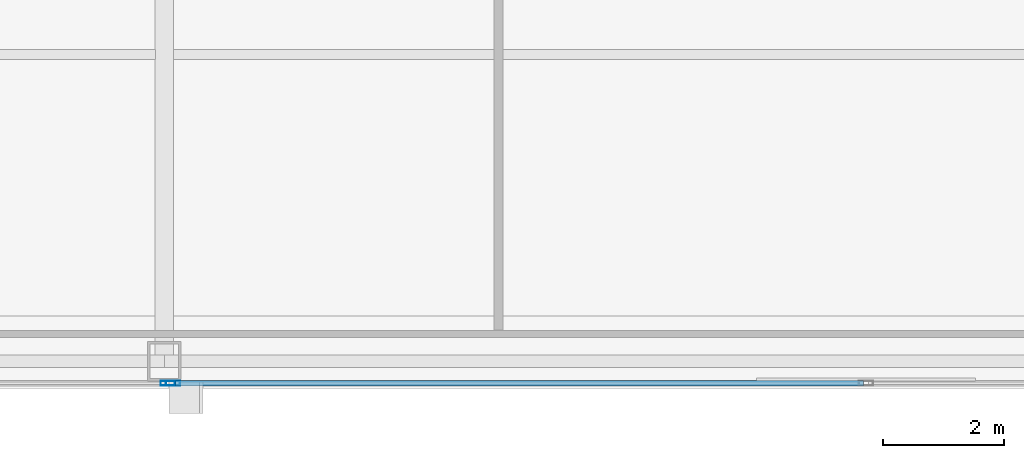
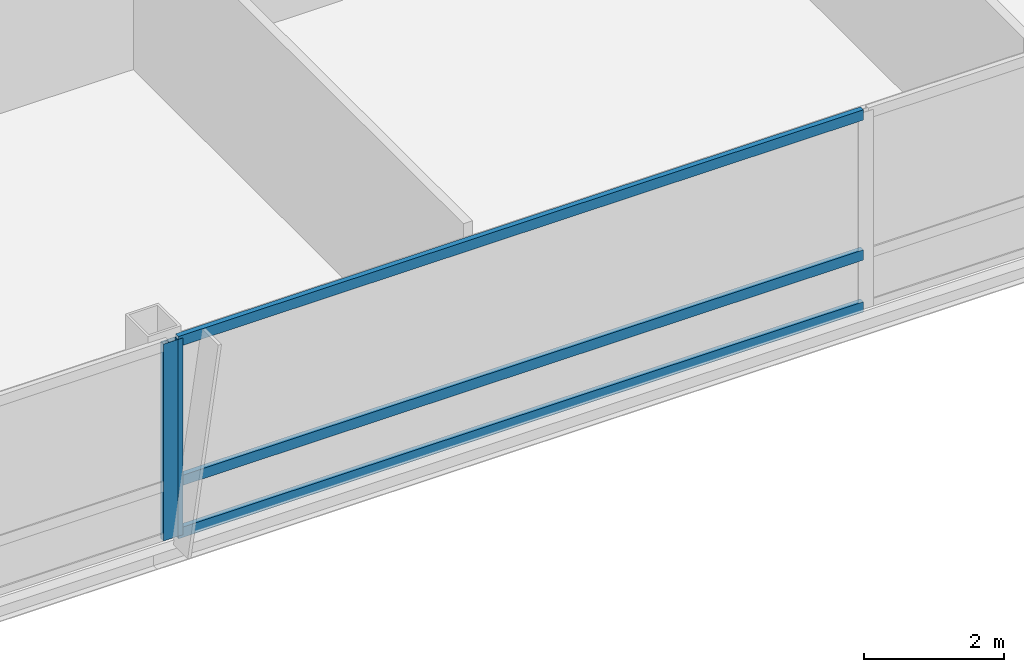
# One storey, part 7 of 29: 5 members, 2 elements without a shape of their own.
"""IFC4 building model written with IfcOpenShell, lengths in metres."""

from ifc_helpers import new_model, si_unit, direction, frame, origin, origin_2d, place, context, subcontext, project, spatial, hollow_rectangle, extrude, material, material_profile, profile_set, type_object, element, aggregate, save


model = new_model("IFC4")

# Units and contexts
model_context = context("Model", 3, precision=1e-05, world=origin(), true_north=direction((0.0, 1.0)))
body_context = subcontext(model_context, "Body", "Model", "MODEL_VIEW")
ifc_project = project(units=[si_unit("LENGTHUNIT", "METRE"), si_unit("AREAUNIT", "SQUARE_METRE"), si_unit("VOLUMEUNIT", "CUBIC_METRE"), si_unit("PLANEANGLEUNIT", "RADIAN"), si_unit("MASSUNIT", "GRAM", prefix="KILO")], contexts=[model_context])

# Site, building, storey
site_placement = place(None, origin())
site = spatial("IfcSite", under=ifc_project, at=site_placement, CompositionType="ELEMENT")
building_placement = place(site_placement, origin())
building = spatial("IfcBuilding", under=site, at=building_placement, Name="Khoronbel Lancet Exchange", CompositionType="ELEMENT")
storey_placement = place(building_placement, frame((0.0, 0.0, 329.0)))
storey = spatial("IfcBuildingStorey", under=building, at=storey_placement, Name="L85", CompositionType="ELEMENT", Elevation=329.0)

# Curtain wall, member
ifc_material_1 = material(Name="Low-E Solar Control Insulating Glass", Category="glass")
curtain_wall_type = type_object("IfcCurtainWallType", Name="CW-3", PredefinedType="NOTDEFINED", material=ifc_material_1)
curtain_wall_1_placement = place(storey_placement, origin())
curtain_wall_1 = element("IfcCurtainWall", 1, at=curtain_wall_1_placement, inside=storey, type_object=curtain_wall_type, Name="Unitised curtain wall CW-L85-SWB", PredefinedType="NOTDEFINED")
ifc_material_2 = material(Name="Bronze-Anodised Aluminium 6063-T6", Category="aluminium")
ifc_material_profile_1 = material_profile(ifc_material_2, hollow_rectangle(XDim=0.0849609375, YDim=0.239990234375, WallThickness=0.006103515625, at=origin_2d()), Name="ALU MULLION 85x240")
ifc_profile_set_1 = profile_set([ifc_material_profile_1], Name="Bronze-Anodised Aluminium 6063-T6")
member_type_1 = type_object("IfcMemberType", Name="MEM-CWM1", PredefinedType="MULLION", material=ifc_profile_set_1)
member_1_placement = place(storey_placement, frame((24.95751953125, 9.7900390625, 0.0), z_axis=(0.0, 0.0, 1.0), x_axis=(0.0, 1.0, 0.0)))
member_1 = element("IfcMember", 2, at=member_1_placement, type_object=member_type_1, Name="CW3 mullion 2", PredefinedType="MULLION", context=body_context, shape_type="SweptSolid", body=[
    extrude(hollow_rectangle(XDim=0.0849609375, YDim=0.239990234375, WallThickness=0.006103515625, at=origin_2d()), origin(), (0.0, 0.0, 1.0), 3.43994140625),
])
aggregate(curtain_wall_1, [member_1])

# Curtain wall, members
curtain_wall_2_placement = place(storey_placement, origin())
curtain_wall_2 = element("IfcCurtainWall", 3, at=curtain_wall_2_placement, inside=storey, type_object=curtain_wall_type, Name="Unitised curtain wall CW-L85-SCV", PredefinedType="NOTDEFINED")
member_2_placement = place(storey_placement, frame((25.04248046875, 9.7900390625, 0.0), z_axis=(0.0, 0.0, 1.0), x_axis=(0.0, 1.0, 0.0)))
member_2 = element("IfcMember", 4, at=member_2_placement, type_object=member_type_1, Name="CW3 mullion 1", PredefinedType="MULLION", context=body_context, shape_type="SweptSolid", body=[
    extrude(hollow_rectangle(XDim=0.0849609375, YDim=0.239990234375, WallThickness=0.006103515625, at=origin_2d()), origin(), (0.0, 0.0, 1.0), 3.43994140625),
])
ifc_material_profile_2 = material_profile(ifc_material_2, hollow_rectangle(XDim=0.0849609375, YDim=0.179931640625, WallThickness=0.0048828125, at=origin_2d()), Name="ALU TRANSOM 85x180")
ifc_profile_set_2 = profile_set([ifc_material_profile_2], Name="Bronze-Anodised Aluminium 6063-T6")
member_type_2 = type_object("IfcMemberType", Name="MEM-CWT1", PredefinedType="USERDEFINED", material=ifc_profile_set_2)
member_3_placement = place(storey_placement, frame((25.0849609375, 9.7900390625, 0.04248046875), z_axis=(1.0, 0.0, 0.0), x_axis=(0.0, 1.0, 0.0)))
member_3 = element("IfcMember", 5, at=member_3_placement, type_object=member_type_2, Name="CW3 transom 1.1", ObjectType="TRANSOM", PredefinedType="USERDEFINED", context=body_context, shape_type="SweptSolid", body=[
    extrude(hollow_rectangle(XDim=0.0849609375, YDim=0.179931640625, WallThickness=0.0048828125, at=origin_2d()), origin(), (0.0, 0.0, 1.0), 11.322509765625),
])
member_4_placement = place(storey_placement, frame((25.0849609375, 9.7900390625, 0.949951171875), z_axis=(1.0, 0.0, 0.0), x_axis=(0.0, 1.0, 0.0)))
member_4 = element("IfcMember", 6, at=member_4_placement, type_object=member_type_2, Name="CW3 transom 1.2", ObjectType="TRANSOM", PredefinedType="USERDEFINED", context=body_context, shape_type="SweptSolid", body=[
    extrude(hollow_rectangle(XDim=0.0849609375, YDim=0.179931640625, WallThickness=0.0048828125, at=origin_2d()), origin(), (0.0, 0.0, 1.0), 11.322509765625),
])
member_5_placement = place(storey_placement, frame((25.0849609375, 9.7900390625, 3.3974609375), z_axis=(1.0, 0.0, 0.0), x_axis=(0.0, 1.0, 0.0)))
member_5 = element("IfcMember", 7, at=member_5_placement, type_object=member_type_2, Name="CW3 transom 1.3", ObjectType="TRANSOM", PredefinedType="USERDEFINED", context=body_context, shape_type="SweptSolid", body=[
    extrude(hollow_rectangle(XDim=0.0849609375, YDim=0.179931640625, WallThickness=0.0048828125, at=origin_2d()), origin(), (0.0, 0.0, 1.0), 11.322509765625),
])
aggregate(curtain_wall_2, [member_2, member_3, member_4, member_5])

save(model, "model.ifc")
